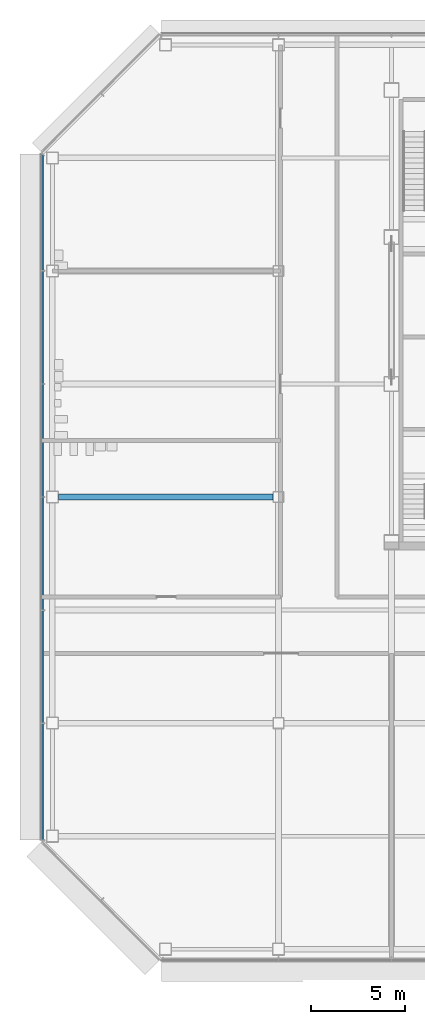
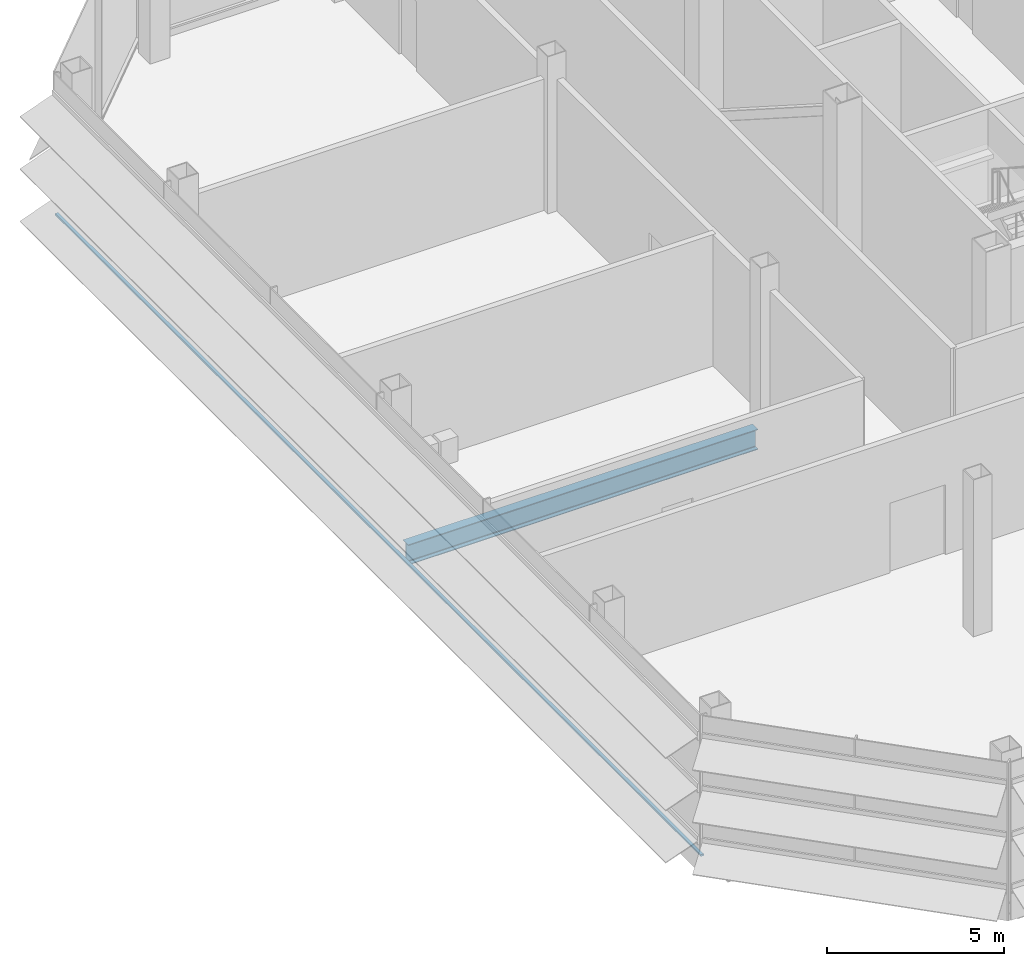
# One storey, part 5 of 25: 1 beam, 1 member, 1 element without a shape of its own.
"""IFC4 building model written with IfcOpenShell, lengths in metres."""

from ifc_helpers import new_model, si_unit, direction, frame, origin, origin_2d, place, context, subcontext, project, spatial, rectangle, i_section, extrude, material, material_profile, profile_set, type_object, element, aggregate, save


model = new_model("IFC4")

# Units and contexts
model_context = context("Model", 3, precision=1e-05, world=origin(), true_north=direction((0.0, 1.0)))
body_context = subcontext(model_context, "Body", "Model", "MODEL_VIEW")
ifc_project = project(units=[si_unit("LENGTHUNIT", "METRE"), si_unit("AREAUNIT", "SQUARE_METRE"), si_unit("VOLUMEUNIT", "CUBIC_METRE"), si_unit("PLANEANGLEUNIT", "RADIAN"), si_unit("MASSUNIT", "GRAM", prefix="KILO")], contexts=[model_context])

# Site, building, storey
site_placement = place(None, origin())
site = spatial("IfcSite", under=ifc_project, at=site_placement, CompositionType="ELEMENT")
building_placement = place(site_placement, origin())
building = spatial("IfcBuilding", under=site, at=building_placement, Name="Sorahane Residences", CompositionType="ELEMENT")
storey_placement = place(building_placement, frame((0.0, 0.0, 210.0)))
storey = spatial("IfcBuildingStorey", under=building, at=storey_placement, Name="L49", CompositionType="ELEMENT", Elevation=210.0)

# Curtain wall, member
ifc_material_1 = material(Name="Dark low-e glass and black anodised aluminium", Category="aluminium")
curtain_wall_type = type_object("IfcCurtainWallType", Name="Curtain wall CW-4 Sky floor frameless wall", PredefinedType="NOTDEFINED", material=ifc_material_1)
curtain_wall_placement = place(storey_placement, origin())
curtain_wall = element("IfcCurtainWall", 1, at=curtain_wall_placement, inside=storey, type_object=curtain_wall_type, Name="CW-4 curtain wall L49 W1", PredefinedType="NOTDEFINED")
ifc_material_2 = material(Name="Black anodised aluminium", Category="aluminium")
ifc_material_profile_1 = material_profile(ifc_material_2, rectangle(XDim=0.10009765625, YDim=0.06005859375, at=origin_2d()), Name="Curtain wall transom CW-4 black anodised aluminium 60x100")
ifc_profile_set_1 = profile_set([ifc_material_profile_1], Name="Black anodised aluminium")
member_type = type_object("IfcMemberType", Name="Curtain wall transom CW-4 black anodised aluminium 60x100", PredefinedType="USERDEFINED", material=ifc_profile_set_1)
member_placement = place(storey_placement, frame((-12.530029296875, 42.198486328125, 0.35009765625), z_axis=(0.0, -1.0, 0.0), x_axis=(1.0, 0.0, 0.0)))
member = element("IfcMember", 2, at=member_placement, type_object=member_type, Name="CW-4 transom L49 W1", ObjectType="TRANSOM", PredefinedType="USERDEFINED", context=body_context, shape_type="SweptSolid", body=[
    extrude(rectangle(XDim=0.10009765625, YDim=0.06005859375, at=origin_2d()), origin(), (0.0, 0.0, 1.0), 36.39697265625),
])
aggregate(curtain_wall, [member])

# Beam
ifc_material_3 = material(Name="Steel Q355B", Category="steel")
ifc_material_profile_2 = material_profile(ifc_material_3, i_section(OverallWidth=0.300048828125, OverallDepth=0.699951171875, WebThickness=0.012939453125, FlangeThickness=0.02392578125, FilletRadius=0.028076171875, at=origin_2d()), Name="HN 700x300x13x24")
ifc_profile_set_2 = profile_set([ifc_material_profile_2], Name="Steel Q355B")
beam_type = type_object("IfcBeamType", Name="Steel floor beam HN 700x300x13x24 Q355B", PredefinedType="BEAM", material=ifc_profile_set_2)
beam_placement = place(storey_placement, frame((-11.675048828125, 24.0, -0.570068359375), z_axis=(1.0, 0.0, 0.0), x_axis=(0.0, 1.0, 0.0)))
element("IfcBeam", 3, at=beam_placement, inside=storey, type_object=beam_type, Name="Beam L49 011", PredefinedType="BEAM", context=body_context, shape_type="SweptSolid", body=[
    extrude(i_section(OverallWidth=0.300048828125, OverallDepth=0.699951171875, WebThickness=0.012939453125, FlangeThickness=0.02392578125, FilletRadius=0.028076171875, at=origin_2d()), origin(), (0.0, 0.0, 1.0), 11.375),
])

save(model, "model.ifc")
